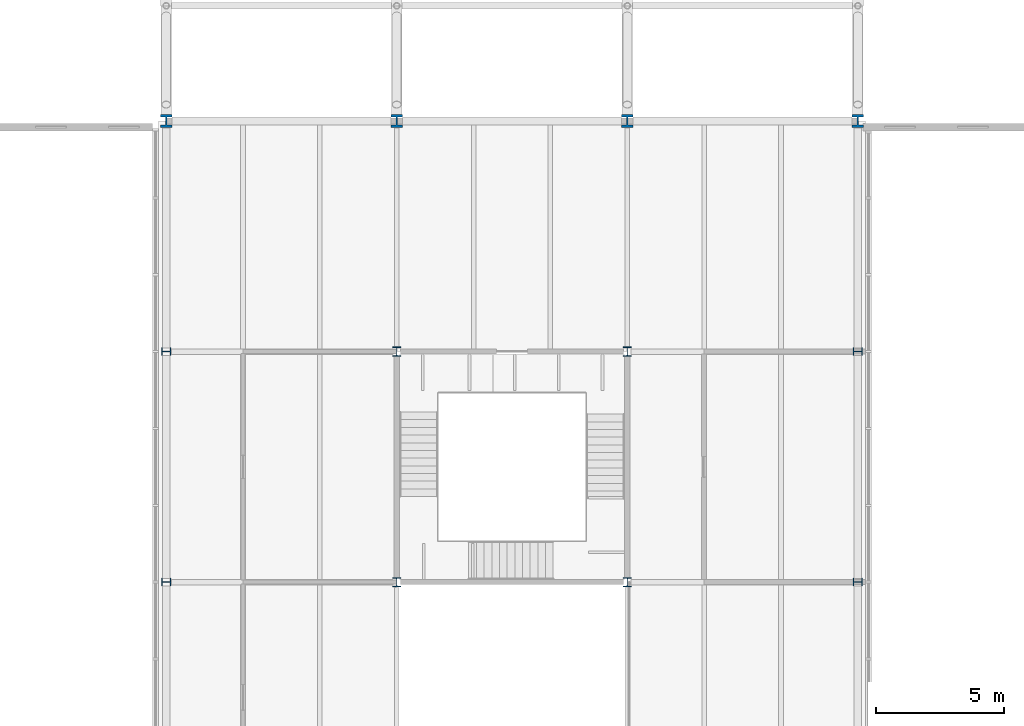
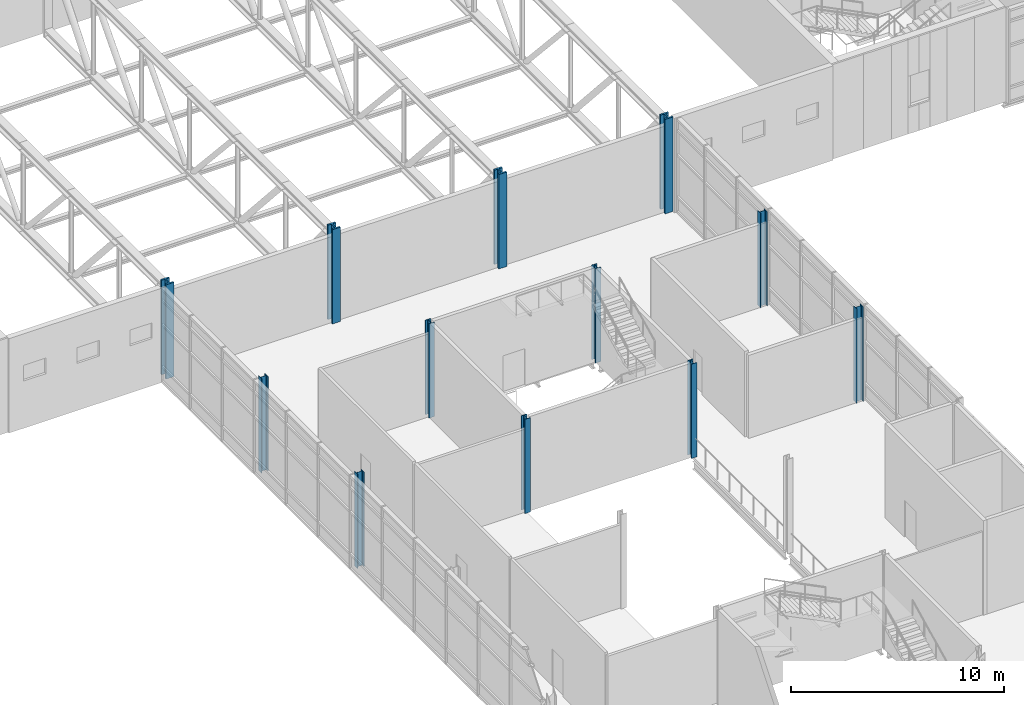
# One storey, part 4 of 53: 12 columns.
"""IFC4 building model written with IfcOpenShell, lengths in metres."""

import ifcopenshell
import ifcopenshell.guid

model = None  # the IFC model being written
_history = None  # IfcOwnerHistory: only IFC2X3 demands one
_inside = {}  # id of a spatial element -> (the spatial element, [elements in it])
_under = {}  # id of a project, library or spatial element -> (it, [spatial elements below it])
_declared = {}  # id of a project -> (the project, [libraries it declares])
_typed = {}  # id of a type object -> (the type object, [elements of that type])
_made_of = {}  # id of a material, layer set ... -> (it, [elements and type objects made of it])


def new_model(schema):
    """Start an empty IFC model of exactly this schema.

    Asked for "IFC4X3", IfcOpenShell would pick the latest addendum, in which some entities
    have other attributes; the version numbers below select the first issue.
    IFC2X3 requires an IfcOwnerHistory on every rooted entity: one is made here for all.
    """
    global model, _history
    if schema == "IFC4X3":
        model = ifcopenshell.file(schema_version=(4, 3, 0, 0))
    else:
        model = ifcopenshell.file(schema=schema)
    _inside.clear()
    _under.clear()
    _declared.clear()
    _typed.clear()
    _made_of.clear()
    _history = None
    if model.schema == "IFC2X3":
        org = make("IfcOrganization", Name="unknown")
        user = make(
            "IfcPersonAndOrganization",
            ThePerson=make("IfcPerson", FamilyName="unknown"),
            TheOrganization=org,
        )
        app = make(
            "IfcApplication",
            ApplicationDeveloper=org,
            Version="unknown",
            ApplicationFullName="unknown",
            ApplicationIdentifier="unknown",
        )
        _history = make(
            "IfcOwnerHistory",
            OwningUser=user,
            OwningApplication=app,
            ChangeAction="ADDED",
            CreationDate=0,
        )
    return model


def make(cls, **values):
    """One entity of the class cls with the attributes given. An attribute that is None is left unset."""
    return model.create_entity(
        cls, **{name: value for name, value in values.items() if value is not None}
    )


def rooted(cls, **values):
    """An entity with a GlobalId (a new one), such as an element, a storey or a relation."""
    return make(cls, GlobalId=ifcopenshell.guid.new(), OwnerHistory=_history, **values)


def si_unit(unit_type, name, prefix=None):
    """IfcSIUnit, for example si_unit("LENGTHUNIT", "METRE", prefix="MILLI")."""
    return make("IfcSIUnit", UnitType=unit_type, Prefix=prefix, Name=name)


def assignment(units):
    """IfcUnitAssignment: the units of a project."""
    return None if units is None else make("IfcUnitAssignment", Units=units)


def point(xyz):
    """IfcCartesianPoint."""
    return None if xyz is None else make("IfcCartesianPoint", Coordinates=xyz)


def direction(xyz):
    """IfcDirection."""
    return None if xyz is None else make("IfcDirection", DirectionRatios=xyz)


def frame(location, z_axis=None, x_axis=None):
    """IfcAxis2Placement3D, a coordinate frame: its origin and axes. An axis left out is left unset."""
    return make(
        "IfcAxis2Placement3D",
        Location=point(location),
        Axis=direction(z_axis),
        RefDirection=direction(x_axis),
    )


def frame_2d(location, x_axis=None):
    """IfcAxis2Placement2D, a coordinate frame in the plane: its origin and x axis."""
    return make(
        "IfcAxis2Placement2D", Location=point(location), RefDirection=direction(x_axis)
    )


def origin():
    """The frame at (0, 0, 0) with its axes left unset."""
    return frame((0.0, 0.0, 0.0))


def origin_2d():
    """The frame at (0, 0) in the plane with its x axis left unset."""
    return frame_2d((0.0, 0.0))


def place(relative_to, where):
    """IfcLocalPlacement: puts the frame where relative to a parent placement (None: the world)."""
    return make(
        "IfcLocalPlacement", PlacementRelTo=relative_to, RelativePlacement=where
    )


def context(
    kind, dimensions, precision=None, world=None, true_north=None, identifier=None
):
    """IfcGeometricRepresentationContext, for example the 3D "Model" context."""
    return make(
        "IfcGeometricRepresentationContext",
        ContextIdentifier=identifier,
        ContextType=kind,
        CoordinateSpaceDimension=dimensions,
        Precision=precision,
        WorldCoordinateSystem=world,
        TrueNorth=true_north,
    )


def subcontext(parent, identifier, kind, view, scale=None):
    """IfcGeometricRepresentationSubContext, for example "Body" below "Model"."""
    return make(
        "IfcGeometricRepresentationSubContext",
        ContextIdentifier=identifier,
        ContextType=kind,
        ParentContext=parent,
        TargetScale=scale,
        TargetView=view,
    )


def project(units=None, contexts=None):
    """IfcProject with its units and contexts."""
    return rooted(
        "IfcProject",
        Name="project",
        RepresentationContexts=contexts,
        UnitsInContext=assignment(units),
    )


def spatial(cls, under=None, at=None, **own):
    """A site, building, storey or space (cls), placed at a placement, below another one or the project."""
    s = rooted(cls, ObjectPlacement=at, **own)
    if under is not None:
        _under.setdefault(under.id(), (under, []))[1].append(s)
    return s


def profile(cls, at=None, kind="AREA", **sizes):
    """A parametric profile (cls). Its sizes go by their IFC names, for example OverallWidth=200.0."""
    return make(cls, ProfileType=kind, Position=at, **sizes)


def i_section(**sizes):
    """IfcIShapeProfileDef."""
    return profile("IfcIShapeProfileDef", **sizes)


def extrude(swept, where, along, depth):
    """IfcExtrudedAreaSolid: the profile swept, set in the frame where, extruded along a direction by depth."""
    return make(
        "IfcExtrudedAreaSolid",
        SweptArea=swept,
        Position=where,
        ExtrudedDirection=direction(along),
        Depth=depth,
    )


def shape(context_of_items, identifier, shape_type, items):
    """IfcShapeRepresentation: the items that make up one representation, for example the "Body"."""
    return make(
        "IfcShapeRepresentation",
        ContextOfItems=context_of_items,
        RepresentationIdentifier=identifier,
        RepresentationType=shape_type,
        Items=items,
    )


def material(Name=None, Category=None):
    """IfcMaterial."""
    return make("IfcMaterial", Name=Name, Category=Category)


def material_profile(
    of_material, cross_section, Name=None, Category=None, Priority=None
):
    """IfcMaterialProfile: a cross section and its material."""
    return make(
        "IfcMaterialProfile",
        Name=Name,
        Material=of_material,
        Profile=cross_section,
        Priority=Priority,
        Category=Category,
    )


def profile_set(profiles, Name=None, composite=None):
    """IfcMaterialProfileSet."""
    return make(
        "IfcMaterialProfileSet",
        Name=Name,
        MaterialProfiles=profiles,
        CompositeProfile=composite,
    )


def made_of(thing, what):
    """Note that an element or type object is made of a material, layer set ...; save() writes the relation."""
    if what is not None:
        _made_of.setdefault(what.id(), (what, []))[1].append(thing)
    return thing


def type_object(cls, material=None, **own):
    """A type object (cls), such as IfcWallType, which elements share."""
    return made_of(rooted(cls, **own), material)


def element(
    cls,
    number,
    at=None,
    inside=None,
    cuts=None,
    type_object=None,
    material=None,
    context=None,
    identifier="Body",
    shape_type=None,
    held_by="IfcProductDefinitionShape",
    body=None,
    shapes=None,
    **own,
):
    """One element of the class cls, such as IfcWall. Its Tag is "e" and its number.

    at: its placement. inside: the storey or other place that contains it. cuts: it is an
    opening in that element (IfcRelVoidsElement). A single representation is given by context,
    identifier, shape_type and body (its items); several are given by shapes. held_by: the class
    of the entity that holds the representations. save() writes the other relations.
    """
    e = rooted(cls, Tag="e%d" % number, ObjectPlacement=at, **own)
    if body is not None:
        shapes = [shape(context, identifier, shape_type, body)]
    if shapes is not None:
        e.Representation = make(held_by, Representations=shapes)
    if inside is not None:
        _inside.setdefault(inside.id(), (inside, []))[1].append(e)
    if cuts is not None:
        rooted(
            "IfcRelVoidsElement", RelatingBuildingElement=cuts, RelatedOpeningElement=e
        )
    if type_object is not None:
        _typed.setdefault(type_object.id(), (type_object, []))[1].append(e)
    return made_of(e, material)


def aggregate(whole, parts):
    """IfcRelAggregates: a whole, such as a stair, and the parts it consists of."""
    return rooted("IfcRelAggregates", RelatingObject=whole, RelatedObjects=parts)


def save(model, path):
    """Write the relations noted so far, then the file.

    IfcRelAggregates (storeys below a building ...), IfcRelContainedInSpatialStructure (elements
    in a storey), IfcRelDefinesByType, IfcRelAssociatesMaterial and IfcRelDeclares: one each for
    every whole, place, type object, material and project.
    """
    for whole, parts in _under.values():
        aggregate(whole, parts)
    for where, things in _inside.values():
        rooted(
            "IfcRelContainedInSpatialStructure",
            RelatedElements=things,
            RelatingStructure=where,
        )
    for kind, things in _typed.values():
        rooted("IfcRelDefinesByType", RelatedObjects=things, RelatingType=kind)
    for what, things in _made_of.values():
        rooted("IfcRelAssociatesMaterial", RelatedObjects=things, RelatingMaterial=what)
    for by, libraries in _declared.values():
        rooted("IfcRelDeclares", RelatingContext=by, RelatedDefinitions=libraries)
    model.write(path)


model = new_model("IFC4")

# Units and contexts
model_context = context("Model", 3, precision=1e-05, world=origin(), true_north=direction((0.0, 1.0)))
body_context = subcontext(model_context, "Body", "Model", "MODEL_VIEW")
ifc_project = project(units=[si_unit("LENGTHUNIT", "METRE"), si_unit("AREAUNIT", "SQUARE_METRE"), si_unit("VOLUMEUNIT", "CUBIC_METRE"), si_unit("PLANEANGLEUNIT", "RADIAN"), si_unit("MASSUNIT", "GRAM", prefix="KILO")], contexts=[model_context])

# Site, building, storey
site_placement = place(None, origin())
site = spatial("IfcSite", under=ifc_project, at=site_placement, CompositionType="ELEMENT")
building_placement = place(site_placement, origin())
building = spatial("IfcBuilding", under=site, at=building_placement, Name="Azimuth Sports and Learning Centre", CompositionType="ELEMENT")
storey_placement = place(building_placement, frame((0.0, 0.0, 10.800048828125)))
storey = spatial("IfcBuildingStorey", under=building, at=storey_placement, Name="L02", CompositionType="ELEMENT", Elevation=10.800048828125)

# Columns
ifc_material_1 = material(Name="Steel S460", Category="steel")
ifc_material_profile_1 = material_profile(ifc_material_1, i_section(OverallWidth=0.43701171875, OverallDepth=0.513916015625, WebThickness=0.060546875, FlangeThickness=0.096923828125, FilletRadius=0.014892578125, at=origin_2d()), Name="HD 400x818")
ifc_profile_set_1 = profile_set([ifc_material_profile_1], Name="Steel S460")
column_type_1 = type_object("IfcColumnType", Name="Column HD 400x818", PredefinedType="COLUMN", material=ifc_profile_set_1)
for number, where, z_axis, x_axis, name in (
    (1, (72.0, 90.0, 0.0), (0.0, 0.0, 1.0), (1.0, 0.0, 0.0), "Column 9L L02"),
    (2, (81.0, 90.0, 0.0), (0.0, 0.0, 1.0), (1.0, 0.0, 0.0), "Column 10L L02"),
    (3, (90.0, 90.0, 0.0), (0.0, 0.0, 1.0), (1.0, 0.0, 0.0), "Column 11L L02"),
    (4, (99.0, 90.0, 0.0), (0.0, 0.0, 1.0), (1.0, 0.0, 0.0), "Column 12L L02"),
):
    element("IfcColumn", number, at=place(storey_placement, frame(where, z_axis=z_axis, x_axis=x_axis)), inside=storey, type_object=column_type_1, Name=name, PredefinedType="COLUMN", context=body_context, shape_type="SweptSolid", body=[
        extrude(i_section(OverallWidth=0.43701171875, OverallDepth=0.513916015625, WebThickness=0.060546875, FlangeThickness=0.096923828125, FilletRadius=0.014892578125, at=origin_2d()), origin(), (0.0, 0.0, 1.0), 5.39990234375),
    ])
ifc_material_2 = material(Name="Steel S355", Category="steel")
ifc_material_profile_2 = material_profile(ifc_material_2, i_section(OverallWidth=0.300048828125, OverallDepth=0.360107421875, WebThickness=0.012451171875, FlangeThickness=0.0224609375, FilletRadius=0.027099609375, at=origin_2d()), Name="HEB 360")
ifc_profile_set_2 = profile_set([ifc_material_profile_2], Name="Steel S355")
column_type_2 = type_object("IfcColumnType", Name="Column HEB 360", PredefinedType="COLUMN", material=ifc_profile_set_2)
for number, where, z_axis, x_axis, name in (
    (5, (72.0, 72.0, 0.0), (0.0, 0.0, 1.0), (0.0, 1.0, 0.0), "Column 9J L02"),
    (6, (81.0, 72.0, 0.0), (0.0, 0.0, 1.0), (1.0, 0.0, 0.0), "Column 10J L02"),
    (7, (90.0, 72.0, 0.0), (0.0, 0.0, 1.0), (1.0, 0.0, 0.0), "Column 11J L02"),
    (8, (99.0, 72.0, 0.0), (0.0, 0.0, 1.0), (0.0, 1.0, 0.0), "Column 12J L02"),
    (9, (72.0, 81.0, 0.0), (0.0, 0.0, 1.0), (0.0, 1.0, 0.0), "Column 9K L02"),
    (10, (81.0, 81.0, 0.0), (0.0, 0.0, 1.0), (1.0, 0.0, 0.0), "Column 10K L02"),
    (11, (90.0, 81.0, 0.0), (0.0, 0.0, 1.0), (1.0, 0.0, 0.0), "Column 11K L02"),
    (12, (99.0, 81.0, 0.0), (0.0, 0.0, 1.0), (0.0, 1.0, 0.0), "Column 12K L02"),
):
    element("IfcColumn", number, at=place(storey_placement, frame(where, z_axis=z_axis, x_axis=x_axis)), inside=storey, type_object=column_type_2, Name=name, PredefinedType="COLUMN", context=body_context, shape_type="SweptSolid", body=[
        extrude(i_section(OverallWidth=0.300048828125, OverallDepth=0.360107421875, WebThickness=0.012451171875, FlangeThickness=0.0224609375, FilletRadius=0.027099609375, at=origin_2d()), origin(), (0.0, 0.0, 1.0), 5.39990234375),
    ])

save(model, "model.ifc")
